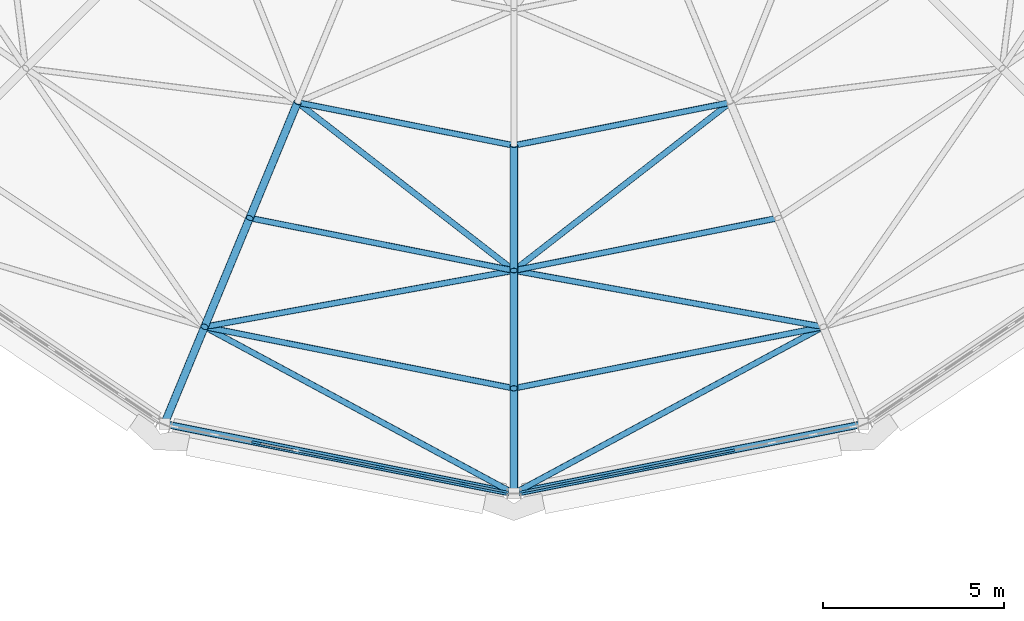
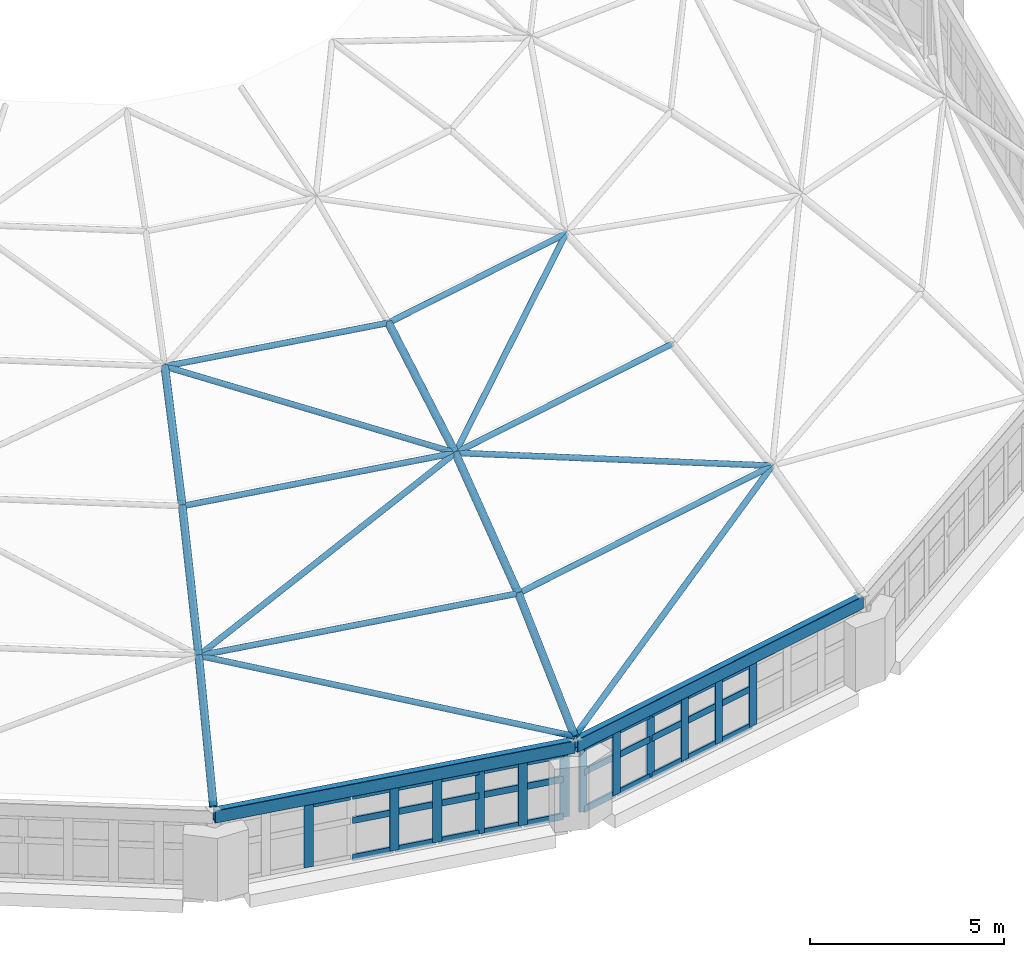
# One storey, part 13 of 68: 61 members, 2 beams, 2 elements without a shape of their own.
"""IFC4 building model written with IfcOpenShell, lengths in metres."""

from ifc_helpers import new_model, si_unit, direction, frame, origin, origin_2d, place, context, subcontext, project, spatial, rectangle, hollow_rectangle, hollow_circle, extrude, material, material_profile, profile_set, type_object, element, aggregate, save


model = new_model("IFC4")

# Units and contexts
model_context = context("Model", 3, precision=1e-05, world=origin(), true_north=direction((0.0, 1.0)))
body_context = subcontext(model_context, "Body", "Model", "MODEL_VIEW")
ifc_project = project(units=[si_unit("LENGTHUNIT", "METRE"), si_unit("AREAUNIT", "SQUARE_METRE"), si_unit("VOLUMEUNIT", "CUBIC_METRE"), si_unit("PLANEANGLEUNIT", "RADIAN"), si_unit("MASSUNIT", "GRAM", prefix="KILO")], contexts=[model_context])

# Site, building, storey
site_placement = place(None, origin())
site = spatial("IfcSite", under=ifc_project, at=site_placement, CompositionType="ELEMENT")
building_placement = place(site_placement, origin())
building = spatial("IfcBuilding", under=site, at=building_placement, Name="Kupolbacken Congress Centre", CompositionType="ELEMENT")
storey_placement = place(building_placement, frame((0.0, 0.0, 25.199951171875)))
storey = spatial("IfcBuildingStorey", under=building, at=storey_placement, Name="L07", CompositionType="ELEMENT", Elevation=25.199951171875)

# Beams
ifc_material_1 = material(Name="Steel S355", Category="steel")
ifc_material_profile_1 = material_profile(ifc_material_1, hollow_rectangle(XDim=0.199951171875, YDim=0.39990234375, WallThickness=0.012451171875, InnerFilletRadius=0.012451171875, OuterFilletRadius=0.018798828125, at=origin_2d()), Name="RHS 400 x 200 x 12.5")
ifc_profile_set_1 = profile_set([ifc_material_profile_1], Name="Steel S355")
beam_type = type_object("IfcBeamType", Name="B19 ring beam RHS 400 x 200 x 12.5", PredefinedType="BEAM", material=ifc_profile_set_1)
beam_1_placement = place(storey_placement, frame((33.575927734375, 63.1142578125, 2.590087890625), z_axis=(0.980786294244, -0.195085225024, 0.0), x_axis=(0.195085225024, 0.980786294244, 0.0)))
element("IfcBeam", 1, at=beam_1_placement, inside=storey, type_object=beam_type, Name="DM/RB/12", PredefinedType="BEAM", context=body_context, shape_type="SweptSolid", body=[
    extrude(hollow_rectangle(XDim=0.199951171875, YDim=0.39990234375, WallThickness=0.012451171875, InnerFilletRadius=0.012451171875, OuterFilletRadius=0.018798828125, at=origin_2d()), origin(), (0.0, 0.0, 1.0), 9.792724609375),
])
beam_2_placement = place(storey_placement, frame((43.219482421875, 61.203857421875, 2.590087890625), z_axis=(0.98078724304, 0.195080454914, 0.0), x_axis=(-0.195080454914, 0.98078724304, 0.0)))
element("IfcBeam", 2, at=beam_2_placement, inside=storey, type_object=beam_type, Name="DM/RB/13", PredefinedType="BEAM", context=body_context, shape_type="SweptSolid", body=[
    extrude(hollow_rectangle(XDim=0.199951171875, YDim=0.39990234375, WallThickness=0.012451171875, InnerFilletRadius=0.012451171875, OuterFilletRadius=0.018798828125, at=origin_2d()), origin(), (0.0, 0.0, 1.0), 9.79296875),
])

# Members
ifc_material_2 = material(Name="Steel S355", Category="steel")
ifc_material_profile_2 = material_profile(ifc_material_2, hollow_circle(Radius=0.109619140625, WallThickness=0.010009765625, at=origin_2d()), Name="CHS 219.1 x 10")
ifc_profile_set_2 = profile_set([ifc_material_profile_2], Name="Steel S355")
member_type_1 = type_object("IfcMemberType", Name="M15 dome rib CHS 219.1 x 10", PredefinedType="BRACE", material=ifc_profile_set_2)
for number, where, z_axis, x_axis, name in (
    (3, (33.556396484375, 63.1181640625, 2.86279296875), (0.27830154342, 0.671878451173, 0.686387352579), (-0.923879349385, 0.38268387447, 0.0), "DM/RIB01-12"),
    (4, (43.199951171875, 61.199951171875, 2.86279296875), (0.0, 0.727228733861, 0.68639519859), (-1.0, 0.0, 0.0), "DM/RIB01-13"),
):
    element("IfcMember", number, at=place(storey_placement, frame(where, z_axis=z_axis, x_axis=x_axis)), inside=storey, type_object=member_type_1, Name=name, PredefinedType="BRACE", context=body_context, shape_type="SweptSolid", body=[
        extrude(hollow_circle(Radius=0.109619140625, WallThickness=0.010009765625, at=origin_2d()), origin(), (0.0, 0.0, 1.0), 3.988037109375),
    ])
member_1_placement = place(storey_placement, frame((34.666259765625, 65.797607421875, 5.60009765625), z_axis=(0.305577803829, 0.737729845207, 0.60197747574), x_axis=(-0.923879489751, 0.382683535598, 0.0)))
element("IfcMember", 5, at=member_1_placement, inside=storey, type_object=member_type_1, Name="DM/RIB02-12", PredefinedType="BRACE", context=body_context, shape_type="SweptSolid", body=[
    extrude(hollow_circle(Radius=0.109619140625, WallThickness=0.010009765625, at=origin_2d()), origin(), (0.0, 0.0, 1.0), 4.06982421875),
])
member_2_placement = place(storey_placement, frame((43.199951171875, 64.10009765625, 5.60009765625), z_axis=(0.0, 0.798529155013, 0.601956135108), x_axis=(-1.0, 0.0, 0.0)))
element("IfcMember", 6, at=member_2_placement, inside=storey, type_object=member_type_1, Name="DM/RIB02-13", PredefinedType="BRACE", context=body_context, shape_type="SweptSolid", body=[
    extrude(hollow_circle(Radius=0.109619140625, WallThickness=0.010009765625, at=origin_2d()), origin(), (0.0, 0.0, 1.0), 4.070068359375),
])
for number, where, z_axis, x_axis, name in (
    (7, (35.909912109375, 68.800048828125, 8.050048828125), (0.331079277244, 0.799291982933, 0.501516538311), (-0.923878838758, 0.38268510723, 0.0), "DM/RIB03-12"),
    (8, (43.199951171875, 67.35009765625, 8.050048828125), (0.0, 0.865136921549, 0.501535748449), (-1.0, 0.0, 0.0), "DM/RIB03-13"),
):
    element("IfcMember", number, at=place(storey_placement, frame(where, z_axis=z_axis, x_axis=x_axis)), inside=storey, type_object=member_type_1, Name=name, PredefinedType="BRACE", context=body_context, shape_type="SweptSolid", body=[
        extrude(hollow_circle(Radius=0.109619140625, WallThickness=0.010009765625, at=origin_2d()), origin(), (0.0, 0.0, 1.0), 3.98779296875),
    ])
ifc_material_3 = material(Name="Steel S355", Category="steel")
ifc_material_profile_3 = material_profile(ifc_material_3, hollow_circle(Radius=0.084228515625, WallThickness=0.008056640625, at=origin_2d()), Name="CHS 168.3 x 8")
ifc_profile_set_3 = profile_set([ifc_material_profile_3], Name="Steel S355")
member_type_2 = type_object("IfcMemberType", Name="M16 dome rib CHS 168.3 x 8", PredefinedType="BRACE", material=ifc_profile_set_3)
member_3_placement = place(storey_placement, frame((34.666259765625, 65.797607421875, 5.60009765625), z_axis=(0.847227111169, -0.456456513061, -0.271760324153), x_axis=(0.474307076394, 0.880359470491, 0.0)))
element("IfcMember", 9, at=member_3_placement, inside=storey, type_object=member_type_2, Name="DM/DIA01-12", PredefinedType="BRACE", context=body_context, shape_type="SweptSolid", body=[
    extrude(hollow_circle(Radius=0.084228515625, WallThickness=0.008056640625, at=origin_2d()), origin(), (0.0, 0.0, 1.0), 10.072509765625),
])
member_4_placement = place(storey_placement, frame((43.199951171875, 61.199951171875, 2.86279296875), z_axis=(0.84723395117, 0.456447139707, 0.271754743542), x_axis=(-0.474296559813, 0.880365136378, 0.0)))
element("IfcMember", 10, at=member_4_placement, inside=storey, type_object=member_type_2, Name="DM/DIA01-13", PredefinedType="BRACE", context=body_context, shape_type="SweptSolid", body=[
    extrude(hollow_circle(Radius=0.084228515625, WallThickness=0.008056640625, at=origin_2d()), origin(), (0.0, 0.0, 1.0), 10.07275390625),
])
member_5_placement = place(storey_placement, frame((34.666259765625, 65.797607421875, 5.60009765625), z_axis=(0.946807444988, 0.172247769717, 0.271820470059), x_axis=(-0.178986991747, 0.983851440404, 0.0)))
element("IfcMember", 11, at=member_5_placement, inside=storey, type_object=member_type_2, Name="DM/DIA02-12", PredefinedType="BRACE", context=body_context, shape_type="SweptSolid", body=[
    extrude(hollow_circle(Radius=0.084228515625, WallThickness=0.008056640625, at=origin_2d()), origin(), (0.0, 0.0, 1.0), 9.01318359375),
])
member_6_placement = place(storey_placement, frame((43.199951171875, 67.35009765625, 8.050048828125), z_axis=(0.946810249917, -0.172243352288, -0.271813499011), x_axis=(0.178982035285, 0.983852342095, 0.0)))
element("IfcMember", 12, at=member_6_placement, inside=storey, type_object=member_type_2, Name="DM/DIA02-13", PredefinedType="BRACE", context=body_context, shape_type="SweptSolid", body=[
    extrude(hollow_circle(Radius=0.084228515625, WallThickness=0.008056640625, at=origin_2d()), origin(), (0.0, 0.0, 1.0), 9.013427734375),
])
member_7_placement = place(storey_placement, frame((37.230224609375, 71.987548828125, 10.050048828125), z_axis=(0.76344714775, -0.593067175344, -0.255772903418), x_axis=(0.613473199516, 0.789715539593, 0.0)))
element("IfcMember", 13, at=member_7_placement, inside=storey, type_object=member_type_2, Name="DM/DIA03-12", PredefinedType="BRACE", context=body_context, shape_type="SweptSolid", body=[
    extrude(hollow_circle(Radius=0.084228515625, WallThickness=0.008056640625, at=origin_2d()), origin(), (0.0, 0.0, 1.0), 7.8193359375),
])
member_8_placement = place(storey_placement, frame((43.199951171875, 67.35009765625, 8.050048828125), z_axis=(0.763460171609, 0.593053038879, 0.255766806765), x_axis=(-0.613457553102, 0.789727693919, 0.0)))
element("IfcMember", 14, at=member_8_placement, inside=storey, type_object=member_type_2, Name="DM/DIA03-13", PredefinedType="BRACE", context=body_context, shape_type="SweptSolid", body=[
    extrude(hollow_circle(Radius=0.084228515625, WallThickness=0.008056640625, at=origin_2d()), origin(), (0.0, 0.0, 1.0), 7.819580078125),
])
ifc_material_4 = material(Name="Steel S355", Category="steel")
ifc_material_profile_4 = material_profile(ifc_material_4, hollow_circle(Radius=0.084228515625, WallThickness=0.008056640625, at=origin_2d()), Name="CHS 168.3 x 8")
ifc_profile_set_4 = profile_set([ifc_material_profile_4], Name="Steel S355")
member_type_3 = type_object("IfcMemberType", Name="M17 dome ring CHS 168.3 x 8", PredefinedType="BRACE", material=ifc_profile_set_4)
member_9_placement = place(storey_placement, frame((34.666259765625, 65.797607421875, 5.60009765625), z_axis=(0.980784114738, -0.195096182119, 0.0), x_axis=(0.195096182119, 0.980784114738, 0.0)))
element("IfcMember", 15, at=member_9_placement, inside=storey, type_object=member_type_3, Name="DM/RNG01-12", PredefinedType="BRACE", context=body_context, shape_type="SweptSolid", body=[
    extrude(hollow_circle(Radius=0.084228515625, WallThickness=0.008056640625, at=origin_2d()), origin(), (0.0, 0.0, 1.0), 8.700927734375),
])
member_10_placement = place(storey_placement, frame((43.199951171875, 64.10009765625, 5.60009765625), z_axis=(0.980785182701, 0.195090813198, 0.0), x_axis=(-0.195090813198, 0.980785182701, 0.0)))
element("IfcMember", 16, at=member_10_placement, inside=storey, type_object=member_type_3, Name="DM/RNG01-13", PredefinedType="BRACE", context=body_context, shape_type="SweptSolid", body=[
    extrude(hollow_circle(Radius=0.084228515625, WallThickness=0.008056640625, at=origin_2d()), origin(), (0.0, 0.0, 1.0), 8.701171875),
])
member_11_placement = place(storey_placement, frame((35.909912109375, 68.800048828125, 8.050048828125), z_axis=(0.980788569065, -0.195073788067, 0.0), x_axis=(0.195073788067, 0.980788569065, 0.0)))
element("IfcMember", 17, at=member_11_placement, inside=storey, type_object=member_type_3, Name="DM/RNG02-12", PredefinedType="BRACE", context=body_context, shape_type="SweptSolid", body=[
    extrude(hollow_circle(Radius=0.084228515625, WallThickness=0.008056640625, at=origin_2d()), origin(), (0.0, 0.0, 1.0), 7.432861328125),
])
member_12_placement = place(storey_placement, frame((43.199951171875, 67.35009765625, 8.050048828125), z_axis=(0.980789818928, 0.195067503922, 0.0), x_axis=(-0.195067503922, 0.980789818928, 0.0)))
element("IfcMember", 18, at=member_12_placement, inside=storey, type_object=member_type_3, Name="DM/RNG02-13", PredefinedType="BRACE", context=body_context, shape_type="SweptSolid", body=[
    extrude(hollow_circle(Radius=0.084228515625, WallThickness=0.008056640625, at=origin_2d()), origin(), (0.0, 0.0, 1.0), 7.43310546875),
])
member_13_placement = place(storey_placement, frame((37.230224609375, 71.987548828125, 10.050048828125), z_axis=(0.980783785373, -0.195097837889, 0.0), x_axis=(0.195097837889, 0.980783785373, 0.0)))
element("IfcMember", 19, at=member_13_placement, inside=storey, type_object=member_type_3, Name="DM/RNG03-12", PredefinedType="BRACE", context=body_context, shape_type="SweptSolid", body=[
    extrude(hollow_circle(Radius=0.084228515625, WallThickness=0.008056640625, at=origin_2d()), origin(), (0.0, 0.0, 1.0), 6.086669921875),
])
member_14_placement = place(storey_placement, frame((43.199951171875, 70.800048828125, 10.050048828125), z_axis=(0.980785312019, 0.195090163074, 0.0), x_axis=(-0.195090163074, 0.980785312019, 0.0)))
element("IfcMember", 20, at=member_14_placement, inside=storey, type_object=member_type_3, Name="DM/RNG03-13", PredefinedType="BRACE", context=body_context, shape_type="SweptSolid", body=[
    extrude(hollow_circle(Radius=0.084228515625, WallThickness=0.008056640625, at=origin_2d()), origin(), (0.0, 0.0, 1.0), 6.0869140625),
])

# Curtain wall, members
ifc_material_5 = material(Name="Aluminium mullion-transom frame with glass", Category="aluminium")
curtain_wall_type = type_object("IfcCurtainWallType", Name="CW3 curtain wall 9830x3600", PredefinedType="NOTDEFINED", material=ifc_material_5)
curtain_wall_1_placement = place(storey_placement, origin())
curtain_wall_1 = element("IfcCurtainWall", 21, at=curtain_wall_1_placement, inside=storey, type_object=curtain_wall_type, Name="E/P/drum/cw/L07/03", PredefinedType="NOTDEFINED")
ifc_material_6 = material(Name="Aluminium alloy", Category="aluminium")
ifc_material_profile_5 = material_profile(ifc_material_6, rectangle(XDim=0.06005859375, YDim=0.25, at=origin_2d()), Name="60 x 250")
ifc_profile_set_5 = profile_set([ifc_material_profile_5], Name="Aluminium alloy")
member_type_4 = type_object("IfcMemberType", Name="MU3 mullion 60x250", PredefinedType="MULLION", material=ifc_profile_set_5)
member_15_placement = place(storey_placement, frame((36.085205078125, 62.600830078125, 0.400146484375), z_axis=(0.0, 0.0, 1.0), x_axis=(0.193182327812, 0.981162875481, 0.0)))
member_15 = element("IfcMember", 22, at=member_15_placement, type_object=member_type_4, Name="CW3 mullion 3", PredefinedType="MULLION", context=body_context, shape_type="SweptSolid", body=[
    extrude(rectangle(XDim=0.06005859375, YDim=0.25, at=origin_2d()), origin(), (0.0, 0.0, 1.0), 1.989990234375),
])
member_16_placement = place(storey_placement, frame((38.375, 62.14990234375, 0.400146484375), z_axis=(0.0, 0.0, 1.0), x_axis=(0.193182327812, 0.981162875481, 0.0)))
member_16 = element("IfcMember", 23, at=member_16_placement, type_object=member_type_4, Name="CW3 mullion 5", PredefinedType="MULLION", context=body_context, shape_type="SweptSolid", body=[
    extrude(rectangle(XDim=0.06005859375, YDim=0.25, at=origin_2d()), origin(), (0.0, 0.0, 1.0), 1.989990234375),
])
member_17_placement = place(storey_placement, frame((39.52001953125, 61.924560546875, 0.400146484375), z_axis=(0.0, 0.0, 1.0), x_axis=(0.193182327812, 0.981162875481, 0.0)))
member_17 = element("IfcMember", 24, at=member_17_placement, type_object=member_type_4, Name="CW3 mullion 6", PredefinedType="MULLION", context=body_context, shape_type="SweptSolid", body=[
    extrude(rectangle(XDim=0.06005859375, YDim=0.25, at=origin_2d()), origin(), (0.0, 0.0, 1.0), 1.989990234375),
])
member_18_placement = place(storey_placement, frame((40.664794921875, 61.69921875, 0.400146484375), z_axis=(0.0, 0.0, 1.0), x_axis=(0.193182327812, 0.981162875481, 0.0)))
member_18 = element("IfcMember", 25, at=member_18_placement, type_object=member_type_4, Name="CW3 mullion 7", PredefinedType="MULLION", context=body_context, shape_type="SweptSolid", body=[
    extrude(rectangle(XDim=0.06005859375, YDim=0.25, at=origin_2d()), origin(), (0.0, 0.0, 1.0), 1.989990234375),
])
member_19_placement = place(storey_placement, frame((41.809814453125, 61.4736328125, 0.400146484375), z_axis=(0.0, 0.0, 1.0), x_axis=(0.193182327812, 0.981162875481, 0.0)))
member_19 = element("IfcMember", 26, at=member_19_placement, type_object=member_type_4, Name="CW3 mullion 8", PredefinedType="MULLION", context=body_context, shape_type="SweptSolid", body=[
    extrude(rectangle(XDim=0.06005859375, YDim=0.25, at=origin_2d()), origin(), (0.0, 0.0, 1.0), 1.989990234375),
])
member_20_placement = place(storey_placement, frame((42.92529296875, 61.254150390625, 0.400146484375), z_axis=(0.0, 0.0, 1.0), x_axis=(0.193182327812, 0.981162875481, 0.0)))
member_20 = element("IfcMember", 27, at=member_20_placement, type_object=member_type_4, Name="CW3 mullion 9", PredefinedType="MULLION", context=body_context, shape_type="SweptSolid", body=[
    extrude(rectangle(XDim=0.06005859375, YDim=0.25, at=origin_2d()), origin(), (0.0, 0.0, 1.0), 1.989990234375),
])

curtain_wall_2_placement = place(storey_placement, origin())
curtain_wall_2 = element("IfcCurtainWall", 28, at=curtain_wall_2_placement, inside=storey, type_object=curtain_wall_type, Name="E/P/drum/cw/L07/04", PredefinedType="NOTDEFINED")
member_21_placement = place(storey_placement, frame((43.474609375, 61.254150390625, 0.400146484375), z_axis=(0.0, 0.0, 1.0), x_axis=(-0.193182327812, 0.981162875481, 0.0)))
member_21 = element("IfcMember", 29, at=member_21_placement, type_object=member_type_4, Name="CW3 mullion 1", PredefinedType="MULLION", context=body_context, shape_type="SweptSolid", body=[
    extrude(rectangle(XDim=0.06005859375, YDim=0.25, at=origin_2d()), origin(), (0.0, 0.0, 1.0), 1.989990234375),
])
member_22_placement = place(storey_placement, frame((44.59033203125, 61.4736328125, 0.400146484375), z_axis=(0.0, 0.0, 1.0), x_axis=(-0.193182327812, 0.981162875481, 0.0)))
member_22 = element("IfcMember", 30, at=member_22_placement, type_object=member_type_4, Name="CW3 mullion 2", PredefinedType="MULLION", context=body_context, shape_type="SweptSolid", body=[
    extrude(rectangle(XDim=0.06005859375, YDim=0.25, at=origin_2d()), origin(), (0.0, 0.0, 1.0), 1.989990234375),
])
member_23_placement = place(storey_placement, frame((45.735107421875, 61.69921875, 0.400146484375), z_axis=(0.0, 0.0, 1.0), x_axis=(-0.193182327812, 0.981162875481, 0.0)))
member_23 = element("IfcMember", 31, at=member_23_placement, type_object=member_type_4, Name="CW3 mullion 3", PredefinedType="MULLION", context=body_context, shape_type="SweptSolid", body=[
    extrude(rectangle(XDim=0.06005859375, YDim=0.25, at=origin_2d()), origin(), (0.0, 0.0, 1.0), 1.989990234375),
])
member_24_placement = place(storey_placement, frame((46.880126953125, 61.924560546875, 0.400146484375), z_axis=(0.0, 0.0, 1.0), x_axis=(-0.193182327812, 0.981162875481, 0.0)))
member_24 = element("IfcMember", 32, at=member_24_placement, type_object=member_type_4, Name="CW3 mullion 4", PredefinedType="MULLION", context=body_context, shape_type="SweptSolid", body=[
    extrude(rectangle(XDim=0.06005859375, YDim=0.25, at=origin_2d()), origin(), (0.0, 0.0, 1.0), 1.989990234375),
])
member_25_placement = place(storey_placement, frame((48.02490234375, 62.14990234375, 0.400146484375), z_axis=(0.0, 0.0, 1.0), x_axis=(-0.193182327812, 0.981162875481, 0.0)))
member_25 = element("IfcMember", 33, at=member_25_placement, type_object=member_type_4, Name="CW3 mullion 5", PredefinedType="MULLION", context=body_context, shape_type="SweptSolid", body=[
    extrude(rectangle(XDim=0.06005859375, YDim=0.25, at=origin_2d()), origin(), (0.0, 0.0, 1.0), 1.989990234375),
])
member_26_placement = place(storey_placement, frame((49.169921875, 62.37548828125, 0.400146484375), z_axis=(0.0, 0.0, 1.0), x_axis=(-0.193182327812, 0.981162875481, 0.0)))
member_26 = element("IfcMember", 34, at=member_26_placement, type_object=member_type_4, Name="CW3 mullion 6", PredefinedType="MULLION", context=body_context, shape_type="SweptSolid", body=[
    extrude(rectangle(XDim=0.06005859375, YDim=0.25, at=origin_2d()), origin(), (0.0, 0.0, 1.0), 1.989990234375),
])

# Member
ifc_material_7 = material(Name="Aluminium alloy", Category="aluminium")
ifc_material_profile_6 = material_profile(ifc_material_7, rectangle(XDim=0.06005859375, YDim=0.199951171875, at=origin_2d()), Name="60 x 200")
ifc_profile_set_6 = profile_set([ifc_material_profile_6], Name="Aluminium alloy")
member_type_5 = type_object("IfcMemberType", Name="TR3 transom 60x200", PredefinedType="MULLION", material=ifc_profile_set_6)
member_27_placement = place(storey_placement, frame((36.114501953125, 62.594970703125, 2.360107421875), z_axis=(0.981161575945, -0.193188927968, 0.0), x_axis=(0.193188927968, 0.981161575945, 0.0)))
member_27 = element("IfcMember", 35, at=member_27_placement, type_object=member_type_5, Name="CW3 transom 3.3", PredefinedType="MULLION", context=body_context, shape_type="SweptSolid", body=[
    extrude(rectangle(XDim=0.06005859375, YDim=0.199951171875, at=origin_2d()), origin(), (0.0, 0.0, 1.0), 1.10693359375),
])

member_28_placement = place(storey_placement, frame((37.259521484375, 62.36962890625, 0.429931640625), z_axis=(0.981153342462, -0.193230739208, 0.0), x_axis=(0.193230739208, 0.981153342462, 0.0)))
member_28 = element("IfcMember", 36, at=member_28_placement, type_object=member_type_5, Name="CW3 transom 4.1", PredefinedType="MULLION", context=body_context, shape_type="SweptSolid", body=[
    extrude(rectangle(XDim=0.06005859375, YDim=0.199951171875, at=origin_2d()), origin(), (0.0, 0.0, 1.0), 1.106689453125),
])

member_29_placement = place(storey_placement, frame((37.259521484375, 62.36962890625, 1.60009765625), z_axis=(0.981153342462, -0.193230739208, 0.0), x_axis=(0.193230739208, 0.981153342462, 0.0)))
member_29 = element("IfcMember", 37, at=member_29_placement, type_object=member_type_5, Name="CW3 transom 4.2", PredefinedType="MULLION", context=body_context, shape_type="SweptSolid", body=[
    extrude(rectangle(XDim=0.06005859375, YDim=0.199951171875, at=origin_2d()), origin(), (0.0, 0.0, 1.0), 1.106689453125),
])

member_30_placement = place(storey_placement, frame((37.259521484375, 62.36962890625, 2.360107421875), z_axis=(0.981153342462, -0.193230739208, 0.0), x_axis=(0.193230739208, 0.981153342462, 0.0)))
member_30 = element("IfcMember", 38, at=member_30_placement, type_object=member_type_5, Name="CW3 transom 4.3", PredefinedType="MULLION", context=body_context, shape_type="SweptSolid", body=[
    extrude(rectangle(XDim=0.06005859375, YDim=0.199951171875, at=origin_2d()), origin(), (0.0, 0.0, 1.0), 1.106689453125),
])

member_31_placement = place(storey_placement, frame((38.404541015625, 62.144287109375, 0.429931640625), z_axis=(0.981153342462, -0.193230739208, 0.0), x_axis=(0.193230739208, 0.981153342462, 0.0)))
member_31 = element("IfcMember", 39, at=member_31_placement, type_object=member_type_5, Name="CW3 transom 5.1", PredefinedType="MULLION", context=body_context, shape_type="SweptSolid", body=[
    extrude(rectangle(XDim=0.06005859375, YDim=0.199951171875, at=origin_2d()), origin(), (0.0, 0.0, 1.0), 1.106689453125),
])

member_32_placement = place(storey_placement, frame((38.404541015625, 62.144287109375, 1.60009765625), z_axis=(0.981153342462, -0.193230739208, 0.0), x_axis=(0.193230739208, 0.981153342462, 0.0)))
member_32 = element("IfcMember", 40, at=member_32_placement, type_object=member_type_5, Name="CW3 transom 5.2", PredefinedType="MULLION", context=body_context, shape_type="SweptSolid", body=[
    extrude(rectangle(XDim=0.06005859375, YDim=0.199951171875, at=origin_2d()), origin(), (0.0, 0.0, 1.0), 1.106689453125),
])

member_33_placement = place(storey_placement, frame((38.404541015625, 62.144287109375, 2.360107421875), z_axis=(0.981153342462, -0.193230739208, 0.0), x_axis=(0.193230739208, 0.981153342462, 0.0)))
member_33 = element("IfcMember", 41, at=member_33_placement, type_object=member_type_5, Name="CW3 transom 5.3", PredefinedType="MULLION", context=body_context, shape_type="SweptSolid", body=[
    extrude(rectangle(XDim=0.06005859375, YDim=0.199951171875, at=origin_2d()), origin(), (0.0, 0.0, 1.0), 1.106689453125),
])

member_34_placement = place(storey_placement, frame((39.54931640625, 61.918701171875, 0.429931640625), z_axis=(0.981161575945, -0.193188927968, 0.0), x_axis=(0.193188927968, 0.981161575945, 0.0)))
member_34 = element("IfcMember", 42, at=member_34_placement, type_object=member_type_5, Name="CW3 transom 6.1", PredefinedType="MULLION", context=body_context, shape_type="SweptSolid", body=[
    extrude(rectangle(XDim=0.06005859375, YDim=0.199951171875, at=origin_2d()), origin(), (0.0, 0.0, 1.0), 1.10693359375),
])

member_35_placement = place(storey_placement, frame((39.54931640625, 61.918701171875, 1.60009765625), z_axis=(0.981161575945, -0.193188927968, 0.0), x_axis=(0.193188927968, 0.981161575945, 0.0)))
member_35 = element("IfcMember", 43, at=member_35_placement, type_object=member_type_5, Name="CW3 transom 6.2", PredefinedType="MULLION", context=body_context, shape_type="SweptSolid", body=[
    extrude(rectangle(XDim=0.06005859375, YDim=0.199951171875, at=origin_2d()), origin(), (0.0, 0.0, 1.0), 1.10693359375),
])

member_36_placement = place(storey_placement, frame((39.54931640625, 61.918701171875, 2.360107421875), z_axis=(0.981161575945, -0.193188927968, 0.0), x_axis=(0.193188927968, 0.981161575945, 0.0)))
member_36 = element("IfcMember", 44, at=member_36_placement, type_object=member_type_5, Name="CW3 transom 6.3", PredefinedType="MULLION", context=body_context, shape_type="SweptSolid", body=[
    extrude(rectangle(XDim=0.06005859375, YDim=0.199951171875, at=origin_2d()), origin(), (0.0, 0.0, 1.0), 1.10693359375),
])

member_37_placement = place(storey_placement, frame((40.6943359375, 61.693359375, 0.429931640625), z_axis=(0.981153342462, -0.193230739208, 0.0), x_axis=(0.193230739208, 0.981153342462, 0.0)))
member_37 = element("IfcMember", 45, at=member_37_placement, type_object=member_type_5, Name="CW3 transom 7.1", PredefinedType="MULLION", context=body_context, shape_type="SweptSolid", body=[
    extrude(rectangle(XDim=0.06005859375, YDim=0.199951171875, at=origin_2d()), origin(), (0.0, 0.0, 1.0), 1.106689453125),
])

member_38_placement = place(storey_placement, frame((40.6943359375, 61.693359375, 1.60009765625), z_axis=(0.981153342462, -0.193230739208, 0.0), x_axis=(0.193230739208, 0.981153342462, 0.0)))
member_38 = element("IfcMember", 46, at=member_38_placement, type_object=member_type_5, Name="CW3 transom 7.2", PredefinedType="MULLION", context=body_context, shape_type="SweptSolid", body=[
    extrude(rectangle(XDim=0.06005859375, YDim=0.199951171875, at=origin_2d()), origin(), (0.0, 0.0, 1.0), 1.106689453125),
])

member_39_placement = place(storey_placement, frame((40.6943359375, 61.693359375, 2.360107421875), z_axis=(0.981153342462, -0.193230739208, 0.0), x_axis=(0.193230739208, 0.981153342462, 0.0)))
member_39 = element("IfcMember", 47, at=member_39_placement, type_object=member_type_5, Name="CW3 transom 7.3", PredefinedType="MULLION", context=body_context, shape_type="SweptSolid", body=[
    extrude(rectangle(XDim=0.06005859375, YDim=0.199951171875, at=origin_2d()), origin(), (0.0, 0.0, 1.0), 1.106689453125),
])

member_40_placement = place(storey_placement, frame((41.839111328125, 61.468017578125, 0.429931640625), z_axis=(0.98112612336, -0.193368896309, 0.0), x_axis=(0.193368896309, 0.98112612336, 0.0)))
member_40 = element("IfcMember", 48, at=member_40_placement, type_object=member_type_5, Name="CW3 transom 8.1", PredefinedType="MULLION", context=body_context, shape_type="SweptSolid", body=[
    extrude(rectangle(XDim=0.06005859375, YDim=0.199951171875, at=origin_2d()), origin(), (0.0, 0.0, 1.0), 1.076904296875),
])

member_41_placement = place(storey_placement, frame((41.839111328125, 61.468017578125, 1.60009765625), z_axis=(0.98112612336, -0.193368896309, 0.0), x_axis=(0.193368896309, 0.98112612336, 0.0)))
member_41 = element("IfcMember", 49, at=member_41_placement, type_object=member_type_5, Name="CW3 transom 8.2", PredefinedType="MULLION", context=body_context, shape_type="SweptSolid", body=[
    extrude(rectangle(XDim=0.06005859375, YDim=0.199951171875, at=origin_2d()), origin(), (0.0, 0.0, 1.0), 1.076904296875),
])

member_42_placement = place(storey_placement, frame((41.839111328125, 61.468017578125, 2.360107421875), z_axis=(0.98112612336, -0.193368896309, 0.0), x_axis=(0.193368896309, 0.98112612336, 0.0)))
member_42 = element("IfcMember", 50, at=member_42_placement, type_object=member_type_5, Name="CW3 transom 8.3", PredefinedType="MULLION", context=body_context, shape_type="SweptSolid", body=[
    extrude(rectangle(XDim=0.06005859375, YDim=0.199951171875, at=origin_2d()), origin(), (0.0, 0.0, 1.0), 1.076904296875),
])

aggregate(curtain_wall_1, [member_15, member_16, member_17, member_18, member_19, member_20, member_27, member_28, member_29, member_30, member_31, member_32, member_33, member_34, member_35, member_36, member_37, member_38, member_39, member_40, member_41, member_42])

member_43_placement = place(storey_placement, frame((43.504150390625, 61.259765625, 0.429931640625), z_axis=(0.98112612336, 0.193368896309, 0.0), x_axis=(-0.193368896309, 0.98112612336, 0.0)))
member_43 = element("IfcMember", 51, at=member_43_placement, type_object=member_type_5, Name="CW3 transom 1.1", PredefinedType="MULLION", context=body_context, shape_type="SweptSolid", body=[
    extrude(rectangle(XDim=0.06005859375, YDim=0.199951171875, at=origin_2d()), origin(), (0.0, 0.0, 1.0), 1.076904296875),
])

member_44_placement = place(storey_placement, frame((43.504150390625, 61.259765625, 1.60009765625), z_axis=(0.98112612336, 0.193368896309, 0.0), x_axis=(-0.193368896309, 0.98112612336, 0.0)))
member_44 = element("IfcMember", 52, at=member_44_placement, type_object=member_type_5, Name="CW3 transom 1.2", PredefinedType="MULLION", context=body_context, shape_type="SweptSolid", body=[
    extrude(rectangle(XDim=0.06005859375, YDim=0.199951171875, at=origin_2d()), origin(), (0.0, 0.0, 1.0), 1.076904296875),
])

member_45_placement = place(storey_placement, frame((43.504150390625, 61.259765625, 2.360107421875), z_axis=(0.98112612336, 0.193368896309, 0.0), x_axis=(-0.193368896309, 0.98112612336, 0.0)))
member_45 = element("IfcMember", 53, at=member_45_placement, type_object=member_type_5, Name="CW3 transom 1.3", PredefinedType="MULLION", context=body_context, shape_type="SweptSolid", body=[
    extrude(rectangle(XDim=0.06005859375, YDim=0.199951171875, at=origin_2d()), origin(), (0.0, 0.0, 1.0), 1.076904296875),
])

member_46_placement = place(storey_placement, frame((44.61962890625, 61.4794921875, 0.429931640625), z_axis=(0.981161575945, 0.193188927968, 0.0), x_axis=(-0.193188927968, 0.981161575945, 0.0)))
member_46 = element("IfcMember", 54, at=member_46_placement, type_object=member_type_5, Name="CW3 transom 2.1", PredefinedType="MULLION", context=body_context, shape_type="SweptSolid", body=[
    extrude(rectangle(XDim=0.06005859375, YDim=0.199951171875, at=origin_2d()), origin(), (0.0, 0.0, 1.0), 1.10693359375),
])

member_47_placement = place(storey_placement, frame((44.61962890625, 61.4794921875, 1.60009765625), z_axis=(0.981161575945, 0.193188927968, 0.0), x_axis=(-0.193188927968, 0.981161575945, 0.0)))
member_47 = element("IfcMember", 55, at=member_47_placement, type_object=member_type_5, Name="CW3 transom 2.2", PredefinedType="MULLION", context=body_context, shape_type="SweptSolid", body=[
    extrude(rectangle(XDim=0.06005859375, YDim=0.199951171875, at=origin_2d()), origin(), (0.0, 0.0, 1.0), 1.10693359375),
])

member_48_placement = place(storey_placement, frame((44.61962890625, 61.4794921875, 2.360107421875), z_axis=(0.981161575945, 0.193188927968, 0.0), x_axis=(-0.193188927968, 0.981161575945, 0.0)))
member_48 = element("IfcMember", 56, at=member_48_placement, type_object=member_type_5, Name="CW3 transom 2.3", PredefinedType="MULLION", context=body_context, shape_type="SweptSolid", body=[
    extrude(rectangle(XDim=0.06005859375, YDim=0.199951171875, at=origin_2d()), origin(), (0.0, 0.0, 1.0), 1.10693359375),
])

member_49_placement = place(storey_placement, frame((45.7646484375, 61.704833984375, 0.429931640625), z_axis=(0.981153342462, 0.193230739208, 0.0), x_axis=(-0.193230739208, 0.981153342462, 0.0)))
member_49 = element("IfcMember", 57, at=member_49_placement, type_object=member_type_5, Name="CW3 transom 3.1", PredefinedType="MULLION", context=body_context, shape_type="SweptSolid", body=[
    extrude(rectangle(XDim=0.06005859375, YDim=0.199951171875, at=origin_2d()), origin(), (0.0, 0.0, 1.0), 1.106689453125),
])

member_50_placement = place(storey_placement, frame((45.7646484375, 61.704833984375, 1.60009765625), z_axis=(0.981153342462, 0.193230739208, 0.0), x_axis=(-0.193230739208, 0.981153342462, 0.0)))
member_50 = element("IfcMember", 58, at=member_50_placement, type_object=member_type_5, Name="CW3 transom 3.2", PredefinedType="MULLION", context=body_context, shape_type="SweptSolid", body=[
    extrude(rectangle(XDim=0.06005859375, YDim=0.199951171875, at=origin_2d()), origin(), (0.0, 0.0, 1.0), 1.106689453125),
])

member_51_placement = place(storey_placement, frame((45.7646484375, 61.704833984375, 2.360107421875), z_axis=(0.981153342462, 0.193230739208, 0.0), x_axis=(-0.193230739208, 0.981153342462, 0.0)))
member_51 = element("IfcMember", 59, at=member_51_placement, type_object=member_type_5, Name="CW3 transom 3.3", PredefinedType="MULLION", context=body_context, shape_type="SweptSolid", body=[
    extrude(rectangle(XDim=0.06005859375, YDim=0.199951171875, at=origin_2d()), origin(), (0.0, 0.0, 1.0), 1.106689453125),
])

member_52_placement = place(storey_placement, frame((46.909423828125, 61.930419921875, 0.429931640625), z_axis=(0.981161575945, 0.193188927968, 0.0), x_axis=(-0.193188927968, 0.981161575945, 0.0)))
member_52 = element("IfcMember", 60, at=member_52_placement, type_object=member_type_5, Name="CW3 transom 4.1", PredefinedType="MULLION", context=body_context, shape_type="SweptSolid", body=[
    extrude(rectangle(XDim=0.06005859375, YDim=0.199951171875, at=origin_2d()), origin(), (0.0, 0.0, 1.0), 1.10693359375),
])

member_53_placement = place(storey_placement, frame((46.909423828125, 61.930419921875, 1.60009765625), z_axis=(0.981161575945, 0.193188927968, 0.0), x_axis=(-0.193188927968, 0.981161575945, 0.0)))
member_53 = element("IfcMember", 61, at=member_53_placement, type_object=member_type_5, Name="CW3 transom 4.2", PredefinedType="MULLION", context=body_context, shape_type="SweptSolid", body=[
    extrude(rectangle(XDim=0.06005859375, YDim=0.199951171875, at=origin_2d()), origin(), (0.0, 0.0, 1.0), 1.10693359375),
])

member_54_placement = place(storey_placement, frame((46.909423828125, 61.930419921875, 2.360107421875), z_axis=(0.981161575945, 0.193188927968, 0.0), x_axis=(-0.193188927968, 0.981161575945, 0.0)))
member_54 = element("IfcMember", 62, at=member_54_placement, type_object=member_type_5, Name="CW3 transom 4.3", PredefinedType="MULLION", context=body_context, shape_type="SweptSolid", body=[
    extrude(rectangle(XDim=0.06005859375, YDim=0.199951171875, at=origin_2d()), origin(), (0.0, 0.0, 1.0), 1.10693359375),
])

member_55_placement = place(storey_placement, frame((48.054443359375, 62.15576171875, 0.429931640625), z_axis=(0.981153342462, 0.193230739208, 0.0), x_axis=(-0.193230739208, 0.981153342462, 0.0)))
member_55 = element("IfcMember", 63, at=member_55_placement, type_object=member_type_5, Name="CW3 transom 5.1", PredefinedType="MULLION", context=body_context, shape_type="SweptSolid", body=[
    extrude(rectangle(XDim=0.06005859375, YDim=0.199951171875, at=origin_2d()), origin(), (0.0, 0.0, 1.0), 1.106689453125),
])

member_56_placement = place(storey_placement, frame((48.054443359375, 62.15576171875, 1.60009765625), z_axis=(0.981153342462, 0.193230739208, 0.0), x_axis=(-0.193230739208, 0.981153342462, 0.0)))
member_56 = element("IfcMember", 64, at=member_56_placement, type_object=member_type_5, Name="CW3 transom 5.2", PredefinedType="MULLION", context=body_context, shape_type="SweptSolid", body=[
    extrude(rectangle(XDim=0.06005859375, YDim=0.199951171875, at=origin_2d()), origin(), (0.0, 0.0, 1.0), 1.106689453125),
])

member_57_placement = place(storey_placement, frame((48.054443359375, 62.15576171875, 2.360107421875), z_axis=(0.981153342462, 0.193230739208, 0.0), x_axis=(-0.193230739208, 0.981153342462, 0.0)))
member_57 = element("IfcMember", 65, at=member_57_placement, type_object=member_type_5, Name="CW3 transom 5.3", PredefinedType="MULLION", context=body_context, shape_type="SweptSolid", body=[
    extrude(rectangle(XDim=0.06005859375, YDim=0.199951171875, at=origin_2d()), origin(), (0.0, 0.0, 1.0), 1.106689453125),
])

aggregate(curtain_wall_2, [member_21, member_22, member_23, member_24, member_25, member_26, member_43, member_44, member_45, member_46, member_47, member_48, member_49, member_50, member_51, member_52, member_53, member_54, member_55, member_56, member_57])

save(model, "model.ifc")
